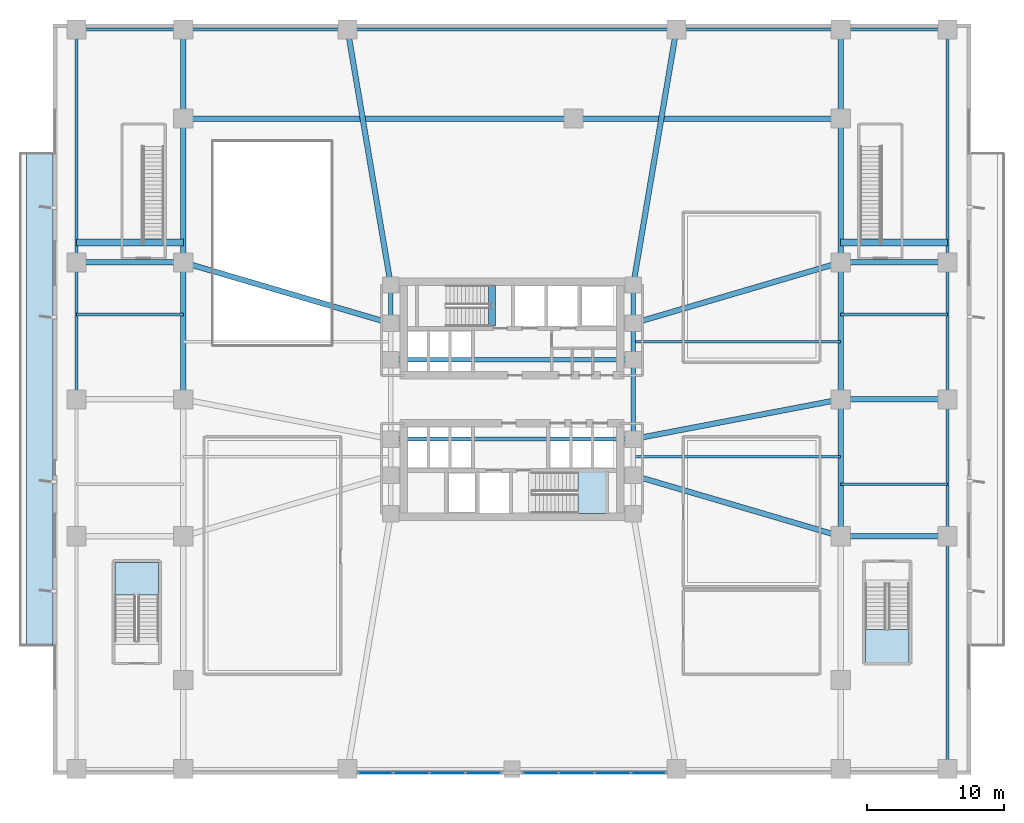
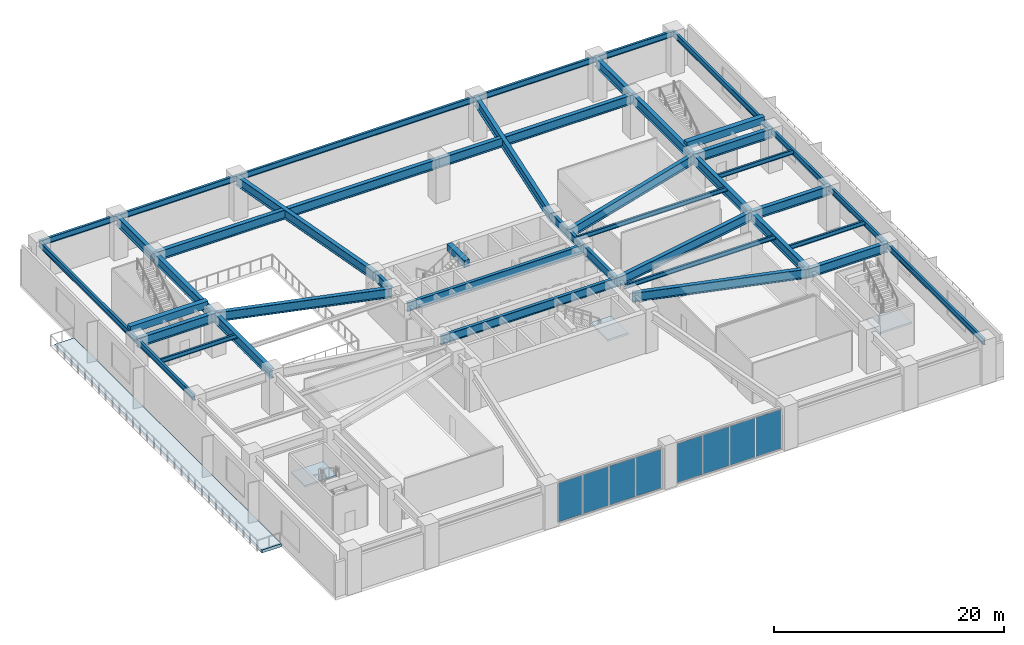
# One storey, part 5 of 13: 44 beams, 8 plates, 4 slabs, 5 elements without a shape of their own.
"""IFC4 building model written with IfcOpenShell, lengths in metres."""

from ifc_helpers import new_model, si_unit, direction, frame, origin, origin_2d, place, context, subcontext, project, spatial, polyline, rectangle, i_section, outline, extrude, material, layer, layer_set, material_profile, profile_set, type_object, element, aggregate, save


model = new_model("IFC4")

# Units and contexts
model_context = context("Model", 3, precision=1e-05, world=origin(), true_north=direction((0.0, 1.0)))
body_context = subcontext(model_context, "Body", "Model", "MODEL_VIEW")
ifc_project = project(units=[si_unit("LENGTHUNIT", "METRE"), si_unit("AREAUNIT", "SQUARE_METRE"), si_unit("VOLUMEUNIT", "CUBIC_METRE"), si_unit("PLANEANGLEUNIT", "RADIAN"), si_unit("MASSUNIT", "GRAM", prefix="KILO")], contexts=[model_context])

# Site, building, storey
site_placement = place(None, origin())
site = spatial("IfcSite", under=ifc_project, at=site_placement, CompositionType="ELEMENT")
building_placement = place(site_placement, origin())
building = spatial("IfcBuilding", under=site, at=building_placement, Name="Solmarez Civic Tower", CompositionType="ELEMENT")
storey_placement = place(building_placement, frame((0.0, 0.0, 14.760009765625)))
storey = spatial("IfcBuildingStorey", under=building, at=storey_placement, Name="L03", CompositionType="ELEMENT", Elevation=14.760009765625)

# Beams
ifc_material_1 = material(Name="Steel S355", Category="steel")
ifc_material_profile_1 = material_profile(ifc_material_1, i_section(OverallWidth=0.19189453125, OverallDepth=0.462890625, WebThickness=0.010498046875, FlangeThickness=0.017578125, at=origin_2d()), Name="W18X60")
ifc_profile_set_1 = profile_set([ifc_material_profile_1], Name="Steel S355")
beam_type_1 = type_object("IfcBeamType", Name="BM-JS-W18X60", PredefinedType="JOIST", material=ifc_profile_set_1)
beam_1_placement = place(storey_placement, frame((8.85009765625, -4.199951171875, 4.048095703125), z_axis=(1.0, 0.0, 0.0), x_axis=(0.0, 1.0, 0.0)))
element("IfcBeam", 1, at=beam_1_placement, inside=storey, type_object=beam_type_1, Name="L03 Secondary Floor Joist JS-L03-EM1", PredefinedType="JOIST", context=body_context, shape_type="SweptSolid", body=[
    extrude(i_section(OverallWidth=0.19189453125, OverallDepth=0.462890625, WebThickness=0.010498046875, FlangeThickness=0.017578125, at=origin_2d()), origin(), (0.0, 0.0, 1.0), 15.14990234375),
])
beam_2_placement = place(storey_placement, frame((24.0, -6.199951171875, 4.048095703125), z_axis=(1.0, 0.0, 0.0), x_axis=(0.0, 1.0, 0.0)))
element("IfcBeam", 2, at=beam_2_placement, inside=storey, type_object=beam_type_1, Name="L03 Secondary Floor Joist JS-L03-EE1", PredefinedType="JOIST", context=body_context, shape_type="SweptSolid", body=[
    extrude(i_section(OverallWidth=0.19189453125, OverallDepth=0.462890625, WebThickness=0.010498046875, FlangeThickness=0.017578125, at=origin_2d()), origin(), (0.0, 0.0, 1.0), 7.800048828125),
])
beam_3_placement = place(storey_placement, frame((8.85009765625, 4.199951171875, 4.048095703125), z_axis=(1.0, 0.0, 0.0), x_axis=(0.0, 1.0, 0.0)))
element("IfcBeam", 3, at=beam_3_placement, inside=storey, type_object=beam_type_1, Name="L03 Secondary Floor Joist JS-L03-EM2", PredefinedType="JOIST", context=body_context, shape_type="SweptSolid", body=[
    extrude(i_section(OverallWidth=0.19189453125, OverallDepth=0.462890625, WebThickness=0.010498046875, FlangeThickness=0.017578125, at=origin_2d()), origin(), (0.0, 0.0, 1.0), 15.14990234375),
])
for number, where, z_axis, x_axis, name in (
    (4, (-31.800048828125, 6.199951171875, 4.048095703125), (1.0, 0.0, 0.0), (0.0, 1.0, 0.0), "L03 Secondary Floor Joist JS-L03-WW2"),
    (5, (24.0, 6.199951171875, 4.048095703125), (1.0, 0.0, 0.0), (0.0, 1.0, 0.0), "L03 Secondary Floor Joist JS-L03-EE2"),
):
    element("IfcBeam", number, at=place(storey_placement, frame(where, z_axis=z_axis, x_axis=x_axis)), inside=storey, type_object=beam_type_1, Name=name, PredefinedType="JOIST", context=body_context, shape_type="SweptSolid", body=[
        extrude(i_section(OverallWidth=0.19189453125, OverallDepth=0.462890625, WebThickness=0.010498046875, FlangeThickness=0.017578125, at=origin_2d()), origin(), (0.0, 0.0, 1.0), 7.800048828125),
    ])
ifc_material_2 = material(Name="Concrete C50/60", Category="concrete")
ifc_material_profile_2 = material_profile(ifc_material_2, rectangle(XDim=0.5, YDim=0.75, at=origin_2d()), Name="RC500X750")
ifc_profile_set_2 = profile_set([ifc_material_profile_2], Name="Concrete C50/60")
beam_type_2 = type_object("IfcBeamType", Name="BM-PR-RC500X750", PredefinedType="BEAM", material=ifc_profile_set_2)
beam_4_placement = place(storey_placement, frame((-1.449951171875, 5.340087890625, 4.31298828125), z_axis=(0.0, 1.0, 0.0), x_axis=(-1.0, 0.0, 0.0)))
element("IfcBeam", 6, at=beam_4_placement, inside=storey, type_object=beam_type_2, Name="L03 North Stair Threshold Beam", PredefinedType="BEAM", context=body_context, shape_type="SweptSolid", body=[
    extrude(rectangle(XDim=0.5, YDim=0.75, at=origin_2d()), origin(), (0.0, 0.0, 1.0), 2.9599609375),
])
for number, where, z_axis, x_axis, name in (
    (7, (-31.800048828125, 11.449951171875, 4.31103515625), (1.0, 0.0, 0.0), (0.0, 1.0, 0.0), "L03 Atrium Stair Bottom Threshold Beam P3"),
    (8, (24.0, 11.449951171875, 4.31103515625), (1.0, 0.0, 0.0), (0.0, 1.0, 0.0), "L03 Atrium Stair Bottom Threshold Beam P4"),
):
    element("IfcBeam", number, at=place(storey_placement, frame(where, z_axis=z_axis, x_axis=x_axis)), inside=storey, type_object=beam_type_2, Name=name, PredefinedType="BEAM", context=body_context, shape_type="SweptSolid", body=[
        extrude(rectangle(XDim=0.5, YDim=0.75, at=origin_2d()), origin(), (0.0, 0.0, 1.0), 7.800048828125),
    ])
ifc_material_profile_3 = material_profile(ifc_material_1, i_section(OverallWidth=0.306884765625, OverallDepth=0.927001953125, WebThickness=0.019287109375, FlangeThickness=0.031982421875, at=origin_2d()), Name="W36X194")
ifc_profile_set_3 = profile_set([ifc_material_profile_3], Name="Steel S355")
beam_type_3 = type_object("IfcBeamType", Name="BM-PR-W36X194", PredefinedType="BEAM", material=ifc_profile_set_3)
beam_5_placement = place(storey_placement, frame((-8.85009765625, 5.550048828125, 3.81591796875), z_axis=(0.0, 1.0, 0.0), x_axis=(-1.0, 0.0, 0.0)))
element("IfcBeam", 9, at=beam_5_placement, inside=storey, type_object=beam_type_3, Name="L03 Primary Floor Beam BM-L03-HC4-HC9", PredefinedType="BEAM", context=body_context, shape_type="SweptSolid", body=[
    extrude(i_section(OverallWidth=0.306884765625, OverallDepth=0.927001953125, WebThickness=0.019287109375, FlangeThickness=0.031982421875, at=origin_2d()), origin(), (0.0, 0.0, 1.0), 2.800048828125),
])
beam_6_placement = place(storey_placement, frame((8.85009765625, -2.89990234375, 3.81591796875), z_axis=(0.0, 1.0, 0.0), x_axis=(-1.0, 0.0, 0.0)))
element("IfcBeam", 10, at=beam_6_placement, inside=storey, type_object=beam_type_3, Name="L03 Primary Floor Beam BM-L03-HC6-HC7", PredefinedType="BEAM", context=body_context, shape_type="SweptSolid", body=[
    extrude(i_section(OverallWidth=0.306884765625, OverallDepth=0.927001953125, WebThickness=0.019287109375, FlangeThickness=0.031982421875, at=origin_2d()), origin(), (0.0, 0.0, 1.0), 5.7998046875),
])
beam_7_placement = place(storey_placement, frame((8.85009765625, 2.89990234375, 3.81591796875), z_axis=(0.0, 1.0, 0.0), x_axis=(-1.0, 0.0, 0.0)))
element("IfcBeam", 11, at=beam_7_placement, inside=storey, type_object=beam_type_3, Name="L03 Primary Floor Beam BM-L03-HC7-HC8", PredefinedType="BEAM", context=body_context, shape_type="SweptSolid", body=[
    extrude(i_section(OverallWidth=0.306884765625, OverallDepth=0.927001953125, WebThickness=0.019287109375, FlangeThickness=0.031982421875, at=origin_2d()), origin(), (0.0, 0.0, 1.0), 2.650146484375),
])
beam_8_placement = place(storey_placement, frame((8.85009765625, 5.550048828125, 3.81591796875), z_axis=(0.0, 1.0, 0.0), x_axis=(-1.0, 0.0, 0.0)))
element("IfcBeam", 12, at=beam_8_placement, inside=storey, type_object=beam_type_3, Name="L03 Primary Floor Beam BM-L03-HC8-HC11", PredefinedType="BEAM", context=body_context, shape_type="SweptSolid", body=[
    extrude(i_section(OverallWidth=0.306884765625, OverallDepth=0.927001953125, WebThickness=0.019287109375, FlangeThickness=0.031982421875, at=origin_2d()), origin(), (0.0, 0.0, 1.0), 2.800048828125),
])
for number, where, z_axis, x_axis, name in (
    (13, (-8.85009765625, -2.89990234375, 3.81591796875), (1.0, 0.0, 0.0), (0.0, 1.0, 0.0), "L03 Primary Floor Beam BM-L03-HC2-HC6"),
    (14, (-8.85009765625, 2.89990234375, 3.81591796875), (1.0, 0.0, 0.0), (0.0, 1.0, 0.0), "L03 Primary Floor Beam BM-L03-HC3-HC7"),
):
    element("IfcBeam", number, at=place(storey_placement, frame(where, z_axis=z_axis, x_axis=x_axis)), inside=storey, type_object=beam_type_3, Name=name, PredefinedType="BEAM", context=body_context, shape_type="SweptSolid", body=[
        extrude(i_section(OverallWidth=0.306884765625, OverallDepth=0.927001953125, WebThickness=0.019287109375, FlangeThickness=0.031982421875, at=origin_2d()), origin(), (0.0, 0.0, 1.0), 17.7001953125),
    ])
ifc_material_profile_4 = material_profile(ifc_material_1, i_section(OverallWidth=0.39892578125, OverallDepth=0.98193359375, WebThickness=0.0166015625, FlangeThickness=0.027099609375, at=origin_2d()), Name="W40X199")
ifc_profile_set_4 = profile_set([ifc_material_profile_4], Name="Steel S355")
beam_type_4 = type_object("IfcBeamType", Name="BM-PR-W40X199", PredefinedType="BEAM", material=ifc_profile_set_4)
beam_9_placement = place(storey_placement, frame((-24.0, 20.5, 3.7890625), z_axis=(1.0, 0.0, 0.0), x_axis=(0.0, 1.0, 0.0)))
element("IfcBeam", 15, at=beam_9_placement, inside=storey, type_object=beam_type_4, Name="L03 Primary Floor Beam BM-L03-PC29-PC25", PredefinedType="BEAM", context=body_context, shape_type="SweptSolid", body=[
    extrude(i_section(OverallWidth=0.39892578125, OverallDepth=0.98193359375, WebThickness=0.0166015625, FlangeThickness=0.027099609375, at=origin_2d()), origin(), (0.0, 0.0, 1.0), 28.5),
])
beam_10_placement = place(storey_placement, frame((4.5, 20.5, 3.7890625), z_axis=(1.0, 0.0, 0.0), x_axis=(0.0, 1.0, 0.0)))
element("IfcBeam", 16, at=beam_10_placement, inside=storey, type_object=beam_type_4, Name="L03 Primary Floor Beam BM-L03-PC25-PC30", PredefinedType="BEAM", context=body_context, shape_type="SweptSolid", body=[
    extrude(i_section(OverallWidth=0.39892578125, OverallDepth=0.98193359375, WebThickness=0.0166015625, FlangeThickness=0.027099609375, at=origin_2d()), origin(), (0.0, 0.0, 1.0), 19.5),
])
beam_11_placement = place(storey_placement, frame((-24.0, 0.0, 3.7890625), z_axis=(0.0, 1.0, 0.0), x_axis=(-1.0, 0.0, 0.0)))
element("IfcBeam", 17, at=beam_11_placement, inside=storey, type_object=beam_type_4, Name="L03 Primary Floor Beam BM-L03-PC20-PC21", PredefinedType="BEAM", context=body_context, shape_type="SweptSolid", body=[
    extrude(i_section(OverallWidth=0.39892578125, OverallDepth=0.98193359375, WebThickness=0.0166015625, FlangeThickness=0.027099609375, at=origin_2d()), origin(), (0.0, 0.0, 1.0), 10.0),
])
beam_12_placement = place(storey_placement, frame((-24.0, 10.0, 3.7890625), z_axis=(0.0, 1.0, 0.0), x_axis=(-1.0, 0.0, 0.0)))
element("IfcBeam", 18, at=beam_12_placement, inside=storey, type_object=beam_type_4, Name="L03 Primary Floor Beam BM-L03-PC21-PC29", PredefinedType="BEAM", context=body_context, shape_type="SweptSolid", body=[
    extrude(i_section(OverallWidth=0.39892578125, OverallDepth=0.98193359375, WebThickness=0.0166015625, FlangeThickness=0.027099609375, at=origin_2d()), origin(), (0.0, 0.0, 1.0), 10.5),
])
beam_13_placement = place(storey_placement, frame((-24.0, 20.5, 3.7890625), z_axis=(0.0, 1.0, 0.0), x_axis=(-1.0, 0.0, 0.0)))
element("IfcBeam", 19, at=beam_13_placement, inside=storey, type_object=beam_type_4, Name="L03 Primary Floor Beam BM-L03-PC29-PC08", PredefinedType="BEAM", context=body_context, shape_type="SweptSolid", body=[
    extrude(i_section(OverallWidth=0.39892578125, OverallDepth=0.98193359375, WebThickness=0.0166015625, FlangeThickness=0.027099609375, at=origin_2d()), origin(), (0.0, 0.0, 1.0), 6.5),
])
for number, where, z_axis, x_axis, name in (
    (20, (24.0, -10.0, 3.7890625), (0.0, 1.0, 0.0), (-1.0, 0.0, 0.0), "L03 Primary Floor Beam BM-L03-PC22-PC23"),
    (21, (24.0, 0.0, 3.7890625), (0.0, 1.0, 0.0), (-1.0, 0.0, 0.0), "L03 Primary Floor Beam BM-L03-PC23-PC24"),
):
    element("IfcBeam", number, at=place(storey_placement, frame(where, z_axis=z_axis, x_axis=x_axis)), inside=storey, type_object=beam_type_4, Name=name, PredefinedType="BEAM", context=body_context, shape_type="SweptSolid", body=[
        extrude(i_section(OverallWidth=0.39892578125, OverallDepth=0.98193359375, WebThickness=0.0166015625, FlangeThickness=0.027099609375, at=origin_2d()), origin(), (0.0, 0.0, 1.0), 10.0),
    ])
beam_14_placement = place(storey_placement, frame((24.0, 10.0, 3.7890625), z_axis=(0.0, 1.0, 0.0), x_axis=(-1.0, 0.0, 0.0)))
element("IfcBeam", 22, at=beam_14_placement, inside=storey, type_object=beam_type_4, Name="L03 Primary Floor Beam BM-L03-PC24-PC30", PredefinedType="BEAM", context=body_context, shape_type="SweptSolid", body=[
    extrude(i_section(OverallWidth=0.39892578125, OverallDepth=0.98193359375, WebThickness=0.0166015625, FlangeThickness=0.027099609375, at=origin_2d()), origin(), (0.0, 0.0, 1.0), 10.5),
])
beam_15_placement = place(storey_placement, frame((24.0, 20.5, 3.7890625), z_axis=(0.0, 1.0, 0.0), x_axis=(-1.0, 0.0, 0.0)))
element("IfcBeam", 23, at=beam_15_placement, inside=storey, type_object=beam_type_4, Name="L03 Primary Floor Beam BM-L03-PC30-PC11", PredefinedType="BEAM", context=body_context, shape_type="SweptSolid", body=[
    extrude(i_section(OverallWidth=0.39892578125, OverallDepth=0.98193359375, WebThickness=0.0166015625, FlangeThickness=0.027099609375, at=origin_2d()), origin(), (0.0, 0.0, 1.0), 6.5),
])
for number, where, z_axis, x_axis, name in (
    (24, (-31.800048828125, 10.0, 3.7890625), (1.0, 0.0, 0.0), (0.0, 1.0, 0.0), "L03 Primary Floor Beam BM-L03-PC15-PC21"),
    (25, (31.800048828125, -10.0, 3.7890625), (-1.0, 0.0, 0.0), (0.0, -1.0, 0.0), "L03 Primary Floor Beam BM-L03-PC16-PC22"),
    (26, (31.800048828125, 0.0, 3.7890625), (-1.0, 0.0, 0.0), (0.0, -1.0, 0.0), "L03 Primary Floor Beam BM-L03-PC17-PC23"),
    (27, (31.800048828125, 10.0, 3.7890625), (-1.0, 0.0, 0.0), (0.0, -1.0, 0.0), "L03 Primary Floor Beam BM-L03-PC18-PC24"),
):
    element("IfcBeam", number, at=place(storey_placement, frame(where, z_axis=z_axis, x_axis=x_axis)), inside=storey, type_object=beam_type_4, Name=name, PredefinedType="BEAM", context=body_context, shape_type="SweptSolid", body=[
        extrude(i_section(OverallWidth=0.39892578125, OverallDepth=0.98193359375, WebThickness=0.0166015625, FlangeThickness=0.027099609375, at=origin_2d()), origin(), (0.0, 0.0, 1.0), 7.800048828125),
    ])
for number, where, z_axis, x_axis, name in (
    (28, (-24.0, 10.0, 3.7890625), (0.959466630969, -0.281822256143, 0.0), (0.281822256143, 0.959466630969, 0.0), "L03 Primary Floor Beam BM-L03-PC21-HC4"),
    (29, (24.0, -10.0, 3.7890625), (-0.959466630969, 0.281822256143, 0.0), (-0.281822256143, -0.959466630969, 0.0), "L03 Primary Floor Beam BM-L03-PC22-HC5"),
):
    element("IfcBeam", number, at=place(storey_placement, frame(where, z_axis=z_axis, x_axis=x_axis)), inside=storey, type_object=beam_type_4, Name=name, PredefinedType="BEAM", context=body_context, shape_type="SweptSolid", body=[
        extrude(i_section(OverallWidth=0.39892578125, OverallDepth=0.98193359375, WebThickness=0.0166015625, FlangeThickness=0.027099609375, at=origin_2d()), origin(), (0.0, 0.0, 1.0), 15.7900390625),
    ])
beam_16_placement = place(storey_placement, frame((24.0, 0.0, 3.7890625), z_axis=(-0.982168874333, -0.188000803966, 0.0), x_axis=(0.188000803966, -0.982168874333, 0.0)))
element("IfcBeam", 30, at=beam_16_placement, inside=storey, type_object=beam_type_4, Name="L03 Primary Floor Beam BM-L03-PC23-HC6", PredefinedType="BEAM", context=body_context, shape_type="SweptSolid", body=[
    extrude(i_section(OverallWidth=0.39892578125, OverallDepth=0.98193359375, WebThickness=0.0166015625, FlangeThickness=0.027099609375, at=origin_2d()), origin(), (0.0, 0.0, 1.0), 15.425048828125),
])
beam_17_placement = place(storey_placement, frame((24.0, 10.0, 3.7890625), z_axis=(-0.959466630969, -0.281822256143, 0.0), x_axis=(0.281822256143, -0.959466630969, 0.0)))
element("IfcBeam", 31, at=beam_17_placement, inside=storey, type_object=beam_type_4, Name="L03 Primary Floor Beam BM-L03-PC24-HC8", PredefinedType="BEAM", context=body_context, shape_type="SweptSolid", body=[
    extrude(i_section(OverallWidth=0.39892578125, OverallDepth=0.98193359375, WebThickness=0.0166015625, FlangeThickness=0.027099609375, at=origin_2d()), origin(), (0.0, 0.0, 1.0), 15.7900390625),
])
for number, where, z_axis, x_axis, name in (
    (32, (-12.0, 27.0, 3.7890625), (0.166537824737, -0.986035066786, 0.0), (0.986035066786, 0.166537824737, 0.0), "L03 Primary Floor Beam BM-L03-PC09-HC9"),
    (33, (12.0, 27.0, 3.7890625), (-0.166537824737, -0.986035066786, 0.0), (0.986035066786, -0.166537824737, 0.0), "L03 Primary Floor Beam BM-L03-PC10-HC11"),
):
    element("IfcBeam", number, at=place(storey_placement, frame(where, z_axis=z_axis, x_axis=x_axis)), inside=storey, type_object=beam_type_4, Name=name, PredefinedType="BEAM", context=body_context, shape_type="SweptSolid", body=[
        extrude(i_section(OverallWidth=0.39892578125, OverallDepth=0.98193359375, WebThickness=0.0166015625, FlangeThickness=0.027099609375, at=origin_2d()), origin(), (0.0, 0.0, 1.0), 18.9140625),
    ])
ifc_material_profile_5 = material_profile(ifc_material_1, i_section(OverallWidth=0.22900390625, OverallDepth=0.612060546875, WebThickness=0.011962890625, FlangeThickness=0.01953125, at=origin_2d()), Name="W24X84")
ifc_profile_set_5 = profile_set([ifc_material_profile_5], Name="Steel S355")
beam_type_5 = type_object("IfcBeamType", Name="BM-SP-W24X84", PredefinedType="SPANDREL", material=ifc_profile_set_5)
beam_18_placement = place(storey_placement, frame((-31.800048828125, 27.0, 3.973876953125), z_axis=(1.0, 0.0, 0.0), x_axis=(0.0, 1.0, 0.0)))
element("IfcBeam", 34, at=beam_18_placement, inside=storey, type_object=beam_type_5, Name="L03 Perimeter Spandrel Beam BM-L03-PC07-PC08", PredefinedType="SPANDREL", context=body_context, shape_type="SweptSolid", body=[
    extrude(i_section(OverallWidth=0.22900390625, OverallDepth=0.612060546875, WebThickness=0.011962890625, FlangeThickness=0.01953125, at=origin_2d()), origin(), (0.0, 0.0, 1.0), 7.800048828125),
])
beam_19_placement = place(storey_placement, frame((-24.0, 27.0, 3.973876953125), z_axis=(1.0, 0.0, 0.0), x_axis=(0.0, 1.0, 0.0)))
element("IfcBeam", 35, at=beam_19_placement, inside=storey, type_object=beam_type_5, Name="L03 Perimeter Spandrel Beam BM-L03-PC08-PC09", PredefinedType="SPANDREL", context=body_context, shape_type="SweptSolid", body=[
    extrude(i_section(OverallWidth=0.22900390625, OverallDepth=0.612060546875, WebThickness=0.011962890625, FlangeThickness=0.01953125, at=origin_2d()), origin(), (0.0, 0.0, 1.0), 12.0),
])
beam_20_placement = place(storey_placement, frame((-12.0, 27.0, 3.973876953125), z_axis=(1.0, 0.0, 0.0), x_axis=(0.0, 1.0, 0.0)))
element("IfcBeam", 36, at=beam_20_placement, inside=storey, type_object=beam_type_5, Name="L03 Perimeter Spandrel Beam BM-L03-PC09-PC10", PredefinedType="SPANDREL", context=body_context, shape_type="SweptSolid", body=[
    extrude(i_section(OverallWidth=0.22900390625, OverallDepth=0.612060546875, WebThickness=0.011962890625, FlangeThickness=0.01953125, at=origin_2d()), origin(), (0.0, 0.0, 1.0), 24.0),
])
beam_21_placement = place(storey_placement, frame((12.0, 27.0, 3.973876953125), z_axis=(1.0, 0.0, 0.0), x_axis=(0.0, 1.0, 0.0)))
element("IfcBeam", 37, at=beam_21_placement, inside=storey, type_object=beam_type_5, Name="L03 Perimeter Spandrel Beam BM-L03-PC10-PC11", PredefinedType="SPANDREL", context=body_context, shape_type="SweptSolid", body=[
    extrude(i_section(OverallWidth=0.22900390625, OverallDepth=0.612060546875, WebThickness=0.011962890625, FlangeThickness=0.01953125, at=origin_2d()), origin(), (0.0, 0.0, 1.0), 12.0),
])
beam_22_placement = place(storey_placement, frame((24.0, 27.0, 3.973876953125), z_axis=(1.0, 0.0, 0.0), x_axis=(0.0, 1.0, 0.0)))
element("IfcBeam", 38, at=beam_22_placement, inside=storey, type_object=beam_type_5, Name="L03 Perimeter Spandrel Beam BM-L03-PC11-PC12", PredefinedType="SPANDREL", context=body_context, shape_type="SweptSolid", body=[
    extrude(i_section(OverallWidth=0.22900390625, OverallDepth=0.612060546875, WebThickness=0.011962890625, FlangeThickness=0.01953125, at=origin_2d()), origin(), (0.0, 0.0, 1.0), 7.800048828125),
])
beam_23_placement = place(storey_placement, frame((-31.800048828125, 0.0, 3.973876953125), z_axis=(0.0, 1.0, 0.0), x_axis=(-1.0, 0.0, 0.0)))
element("IfcBeam", 39, at=beam_23_placement, inside=storey, type_object=beam_type_5, Name="L03 Perimeter Spandrel Beam BM-L03-PC14-PC15", PredefinedType="SPANDREL", context=body_context, shape_type="SweptSolid", body=[
    extrude(i_section(OverallWidth=0.22900390625, OverallDepth=0.612060546875, WebThickness=0.011962890625, FlangeThickness=0.01953125, at=origin_2d()), origin(), (0.0, 0.0, 1.0), 10.0),
])
for number, where, z_axis, x_axis, name in (
    (40, (-31.800048828125, 10.0, 3.973876953125), (0.0, 1.0, 0.0), (-1.0, 0.0, 0.0), "L03 Perimeter Spandrel Beam BM-L03-PC15-PC07"),
    (41, (31.800048828125, -27.0, 3.973876953125), (0.0, 1.0, 0.0), (-1.0, 0.0, 0.0), "L03 Perimeter Spandrel Beam BM-L03-PC06-PC16"),
):
    element("IfcBeam", number, at=place(storey_placement, frame(where, z_axis=z_axis, x_axis=x_axis)), inside=storey, type_object=beam_type_5, Name=name, PredefinedType="SPANDREL", context=body_context, shape_type="SweptSolid", body=[
        extrude(i_section(OverallWidth=0.22900390625, OverallDepth=0.612060546875, WebThickness=0.011962890625, FlangeThickness=0.01953125, at=origin_2d()), origin(), (0.0, 0.0, 1.0), 17.0),
    ])
for number, where, z_axis, x_axis, name in (
    (42, (31.800048828125, -10.0, 3.973876953125), (0.0, 1.0, 0.0), (-1.0, 0.0, 0.0), "L03 Perimeter Spandrel Beam BM-L03-PC16-PC17"),
    (43, (31.800048828125, 0.0, 3.973876953125), (0.0, 1.0, 0.0), (-1.0, 0.0, 0.0), "L03 Perimeter Spandrel Beam BM-L03-PC17-PC18"),
):
    element("IfcBeam", number, at=place(storey_placement, frame(where, z_axis=z_axis, x_axis=x_axis)), inside=storey, type_object=beam_type_5, Name=name, PredefinedType="SPANDREL", context=body_context, shape_type="SweptSolid", body=[
        extrude(i_section(OverallWidth=0.22900390625, OverallDepth=0.612060546875, WebThickness=0.011962890625, FlangeThickness=0.01953125, at=origin_2d()), origin(), (0.0, 0.0, 1.0), 10.0),
    ])
beam_24_placement = place(storey_placement, frame((31.800048828125, 10.0, 3.973876953125), z_axis=(0.0, 1.0, 0.0), x_axis=(-1.0, 0.0, 0.0)))
element("IfcBeam", 44, at=beam_24_placement, inside=storey, type_object=beam_type_5, Name="L03 Perimeter Spandrel Beam BM-L03-PC18-PC12", PredefinedType="SPANDREL", context=body_context, shape_type="SweptSolid", body=[
    extrude(i_section(OverallWidth=0.22900390625, OverallDepth=0.612060546875, WebThickness=0.011962890625, FlangeThickness=0.01953125, at=origin_2d()), origin(), (0.0, 0.0, 1.0), 17.0),
])

# Curtain wall, plates
ifc_material_3 = material(Name="Bronze Anodised Aluminium EN AW-6063 T6", Category="aluminium")
ifc_layer_1 = layer(ifc_material_3, 0.199951171875)
ifc_layer_set_1 = layer_set([ifc_layer_1], Name="Bronze Anodised Aluminium EN AW-6063 T6")
curtain_wall_type = type_object("IfcCurtainWallType", Name="CW-SYS-1", PredefinedType="NOTDEFINED", material=ifc_layer_set_1)
curtain_wall_1_placement = place(storey_placement, origin())
curtain_wall_1 = element("IfcCurtainWall", 45, at=curtain_wall_1_placement, inside=storey, type_object=curtain_wall_type, Name="L03 Podium Monumental Curtain Wall SE", PredefinedType="NOTDEFINED")
ifc_material_4 = material(Name="Solar Control Low-E Laminated Vision Glass", Category="glass")
ifc_layer_2 = layer(ifc_material_4, 0.028076171875)
ifc_layer_set_2 = layer_set([ifc_layer_2], Name="Solar Control Low-E Laminated Vision Glass")
plate_type = type_object("IfcPlateType", Name="CWP-GLAZ-28", PredefinedType="CURTAIN_PANEL", material=ifc_layer_set_2)
plate_1_placement = place(storey_placement, frame((9.96240234375, -27.27001953125, 0.06982421875), z_axis=(0.0, 0.0, 1.0), x_axis=(-1.0, 0.0, 0.0)))
plate_1 = element("IfcPlate", 46, at=plate_1_placement, type_object=plate_type, Name="CWS1 panel 1.1", PredefinedType="CURTAIN_PANEL", context=body_context, shape_type="SweptSolid", body=[
    extrude(rectangle(XDim=2.52490234375, YDim=0.028076171875, at=origin_2d()), origin(), (0.0, 0.0, 1.0), 4.139892578125),
])
plate_2_placement = place(storey_placement, frame((7.34375, -27.27001953125, 0.06982421875), z_axis=(0.0, 0.0, 1.0), x_axis=(-1.0, 0.0, 0.0)))
plate_2 = element("IfcPlate", 47, at=plate_2_placement, type_object=plate_type, Name="CWS1 panel 2.1", PredefinedType="CURTAIN_PANEL", context=body_context, shape_type="SweptSolid", body=[
    extrude(rectangle(XDim=2.5625, YDim=0.028076171875, at=origin_2d()), origin(), (0.0, 0.0, 1.0), 4.139892578125),
])
plate_3_placement = place(storey_placement, frame((4.706298828125, -27.27001953125, 0.06982421875), z_axis=(0.0, 0.0, 1.0), x_axis=(-1.0, 0.0, 0.0)))
plate_3 = element("IfcPlate", 48, at=plate_3_placement, type_object=plate_type, Name="CWS1 panel 3.1", PredefinedType="CURTAIN_PANEL", context=body_context, shape_type="SweptSolid", body=[
    extrude(rectangle(XDim=2.5625, YDim=0.028076171875, at=origin_2d()), origin(), (0.0, 0.0, 1.0), 4.139892578125),
])
plate_4_placement = place(storey_placement, frame((2.08740234375, -27.27001953125, 0.06982421875), z_axis=(0.0, 0.0, 1.0), x_axis=(-1.0, 0.0, 0.0)))
plate_4 = element("IfcPlate", 49, at=plate_4_placement, type_object=plate_type, Name="CWS1 panel 4.1", PredefinedType="CURTAIN_PANEL", context=body_context, shape_type="SweptSolid", body=[
    extrude(rectangle(XDim=2.52490234375, YDim=0.028076171875, at=origin_2d()), origin(), (0.0, 0.0, 1.0), 4.139892578125),
])
aggregate(curtain_wall_1, [plate_1, plate_2, plate_3, plate_4])

curtain_wall_2_placement = place(storey_placement, origin())
curtain_wall_2 = element("IfcCurtainWall", 50, at=curtain_wall_2_placement, inside=storey, type_object=curtain_wall_type, Name="L03 Podium Monumental Curtain Wall SW", PredefinedType="NOTDEFINED")
plate_5_placement = place(storey_placement, frame((-2.08740234375, -27.27001953125, 0.06982421875), z_axis=(0.0, 0.0, 1.0), x_axis=(-1.0, 0.0, 0.0)))
plate_5 = element("IfcPlate", 51, at=plate_5_placement, type_object=plate_type, Name="CWS1 panel 1.1", PredefinedType="CURTAIN_PANEL", context=body_context, shape_type="SweptSolid", body=[
    extrude(rectangle(XDim=2.52490234375, YDim=0.028076171875, at=origin_2d()), origin(), (0.0, 0.0, 1.0), 4.139892578125),
])
plate_6_placement = place(storey_placement, frame((-4.706298828125, -27.27001953125, 0.06982421875), z_axis=(0.0, 0.0, 1.0), x_axis=(-1.0, 0.0, 0.0)))
plate_6 = element("IfcPlate", 52, at=plate_6_placement, type_object=plate_type, Name="CWS1 panel 2.1", PredefinedType="CURTAIN_PANEL", context=body_context, shape_type="SweptSolid", body=[
    extrude(rectangle(XDim=2.5625, YDim=0.028076171875, at=origin_2d()), origin(), (0.0, 0.0, 1.0), 4.139892578125),
])
plate_7_placement = place(storey_placement, frame((-7.34375, -27.27001953125, 0.06982421875), z_axis=(0.0, 0.0, 1.0), x_axis=(-1.0, 0.0, 0.0)))
plate_7 = element("IfcPlate", 53, at=plate_7_placement, type_object=plate_type, Name="CWS1 panel 3.1", PredefinedType="CURTAIN_PANEL", context=body_context, shape_type="SweptSolid", body=[
    extrude(rectangle(XDim=2.5625, YDim=0.028076171875, at=origin_2d()), origin(), (0.0, 0.0, 1.0), 4.139892578125),
])
plate_8_placement = place(storey_placement, frame((-9.96240234375, -27.27001953125, 0.06982421875), z_axis=(0.0, 0.0, 1.0), x_axis=(-1.0, 0.0, 0.0)))
plate_8 = element("IfcPlate", 54, at=plate_8_placement, type_object=plate_type, Name="CWS1 panel 4.1", PredefinedType="CURTAIN_PANEL", context=body_context, shape_type="SweptSolid", body=[
    extrude(rectangle(XDim=2.52490234375, YDim=0.028076171875, at=origin_2d()), origin(), (0.0, 0.0, 1.0), 4.139892578125),
])
aggregate(curtain_wall_2, [plate_5, plate_6, plate_7, plate_8])

# Stair, slab
stair_type_1 = type_object("IfcStairType", Name="STAIR-DOGLEG-140W-26R-1800", PredefinedType="HALF_TURN_STAIR", material=ifc_material_2)
stair_1_placement = place(storey_placement, origin())
stair_1 = element("IfcStair", 55, at=stair_1_placement, inside=storey, type_object=stair_type_1, Name="L03 South Core Protected Exit Stair ST-2", PredefinedType="HALF_TURN_STAIR")
ifc_layer_3 = layer(ifc_material_2, 0.199951171875)
ifc_layer_set_3 = layer_set([ifc_layer_3], Name="Concrete C50/60")
slab_type_1 = type_object("IfcSlabType", Name="SLAB-LANDING-200", PredefinedType="LANDING", material=ifc_layer_set_3)
slab_1_placement = place(storey_placement, frame((0.0, 0.0, 2.139892578125)))
slab_1 = element("IfcSlab", 56, at=slab_1_placement, type_object=slab_type_1, Name="ST-2 landing 1", PredefinedType="LANDING", context=body_context, shape_type="SweptSolid", body=[
    extrude(outline(polyline([(4.81005859375, -8.320068359375), (6.85009765625, -8.320068359375), (6.85009765625, -5.320068359375), (4.81005859375, -5.320068359375), (4.81005859375, -8.320068359375)])), origin(), (0.0, 0.0, 1.0), 0.2001953125),
])
aggregate(stair_1, [slab_1])

stair_type_2 = type_object("IfcStairType", Name="STAIR-DOGLEG-150W-26R-1800", PredefinedType="HALF_TURN_STAIR", material=ifc_material_2)
stair_2_placement = place(storey_placement, origin())
stair_2 = element("IfcStair", 57, at=stair_2_placement, inside=storey, type_object=stair_type_2, Name="L03 West Podium Exit Stair ST-P1", PredefinedType="HALF_TURN_STAIR")
slab_2_placement = place(storey_placement, frame((0.0, 0.0, 2.139892578125)))
slab_2 = element("IfcSlab", 58, at=slab_2_placement, type_object=slab_type_1, Name="ST-P1 landing 1", PredefinedType="LANDING", context=body_context, shape_type="SweptSolid", body=[
    extrude(outline(polyline([(-25.800048828125, -14.2900390625), (-25.800048828125, -11.89990234375), (-29.0, -11.89990234375), (-29.0, -14.2900390625), (-25.800048828125, -14.2900390625)])), origin(), (0.0, 0.0, 1.0), 0.2001953125),
])
aggregate(stair_2, [slab_2])

stair_3_placement = place(storey_placement, origin())
stair_3 = element("IfcStair", 59, at=stair_3_placement, inside=storey, type_object=stair_type_2, Name="L03 East Podium Exit Stair ST-P2", PredefinedType="HALF_TURN_STAIR")
slab_3_placement = place(storey_placement, frame((0.0, 0.0, 2.139892578125)))
slab_3 = element("IfcSlab", 60, at=slab_3_placement, type_object=slab_type_1, Name="ST-P2 landing 1", PredefinedType="LANDING", context=body_context, shape_type="SweptSolid", body=[
    extrude(outline(polyline([(25.800048828125, -16.81005859375), (25.800048828125, -19.199951171875), (29.0, -19.199951171875), (29.0, -16.81005859375), (25.800048828125, -16.81005859375)])), origin(), (0.0, 0.0, 1.0), 0.2001953125),
])
aggregate(stair_3, [slab_3])

# Slab
ifc_layer_4 = layer(ifc_material_2, 0.320068359375)
ifc_layer_set_4 = layer_set([ifc_layer_4], Name="Concrete C50/60")
slab_type_2 = type_object("IfcSlabType", Name="SLAB-POD-320", PredefinedType="FLOOR", material=ifc_layer_set_4)
slab_4_placement = place(storey_placement, frame((0.0, 0.0, -0.320068359375)))
element("IfcSlab", 61, at=slab_4_placement, inside=storey, type_object=slab_type_2, Name="L03 Civic Podium Terrace TERR-L03-W", PredefinedType="FLOOR", context=body_context, shape_type="SweptSolid", body=[
    extrude(outline(polyline([(-35.449951171875, -18.0), (-33.501953125, -18.0), (-33.501953125, 18.0), (-35.449951171875, 18.0), (-35.449951171875, -18.0)])), origin(), (0.0, 0.0, 1.0), 0.320068359375),
])

save(model, "model.ifc")
